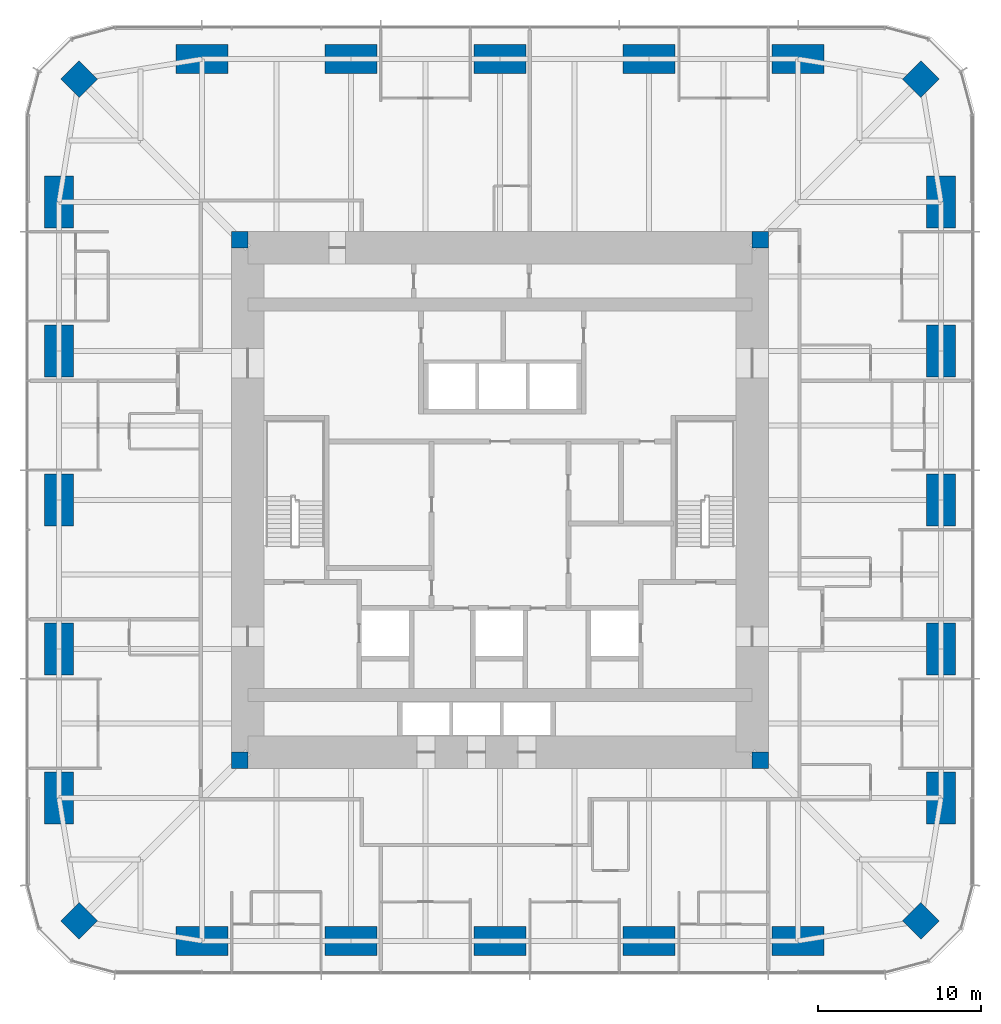
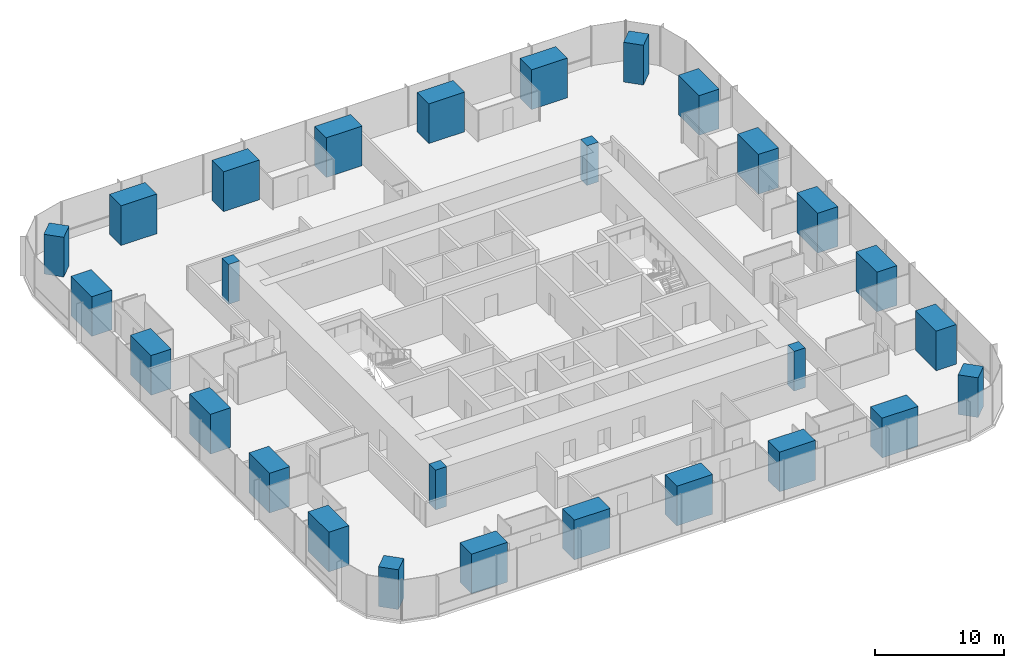
# One storey, part 1 of 13: 28 columns.
"""IFC4 building model written with IfcOpenShell, lengths in metres."""

from ifc_helpers import new_model, si_unit, direction, frame, origin, origin_2d, place, context, subcontext, project, spatial, rectangle, extrude, material, material_profile, profile_set, type_object, element, save


model = new_model("IFC4")

# Units and contexts
model_context = context("Model", 3, precision=1e-05, world=origin(), true_north=direction((0.0, 1.0)))
body_context = subcontext(model_context, "Body", "Model", "MODEL_VIEW")
ifc_project = project(units=[si_unit("LENGTHUNIT", "METRE"), si_unit("AREAUNIT", "SQUARE_METRE"), si_unit("VOLUMEUNIT", "CUBIC_METRE"), si_unit("PLANEANGLEUNIT", "RADIAN"), si_unit("MASSUNIT", "GRAM", prefix="KILO")], contexts=[model_context])

# Site, building, storey
site_placement = place(None, origin())
site = spatial("IfcSite", under=ifc_project, at=site_placement, CompositionType="ELEMENT")
building_placement = place(site_placement, origin())
building = spatial("IfcBuilding", under=site, at=building_placement, Name="Khuree Lantern Residences", CompositionType="ELEMENT")
storey_placement = place(building_placement, frame((0.0, 0.0, 122.25)))
storey = spatial("IfcBuildingStorey", under=building, at=storey_placement, Name="L30", CompositionType="ELEMENT", Elevation=122.25)

# Columns
ifc_material = material(Name="Concrete C70/85", Category="concrete")
ifc_material_profile_1 = material_profile(ifc_material, rectangle(XDim=1.60009765625, YDim=1.60009765625, at=origin_2d()), Name="RC 1600X1600")
ifc_profile_set_1 = profile_set([ifc_material_profile_1], Name="Concrete C70/85")
column_type_1 = type_object("IfcColumnType", Name="CC1600A PERIMETER CORNER COLUMN RC 1600X1600", PredefinedType="COLUMN", material=ifc_profile_set_1)
for number, where, z_axis, x_axis, name in (
    (1, (25.869873046875, 25.869873046875, 0.0), (0.0, 0.0, 1.0), (0.707106781187, -0.707106781187, 0.0), "Perimeter column NE"),
    (2, (25.869873046875, -25.869873046875, 0.0), (0.0, 0.0, 1.0), (0.707106781187, 0.707106781187, 0.0), "Perimeter column SE"),
    (3, (-25.869873046875, -25.869873046875, 0.0), (0.0, 0.0, 1.0), (0.707106781187, -0.707106781187, 0.0), "Perimeter column SW"),
    (4, (-25.869873046875, 25.869873046875, 0.0), (0.0, 0.0, 1.0), (0.707106781187, 0.707106781187, 0.0), "Perimeter column NW"),
):
    element("IfcColumn", number, at=place(storey_placement, frame(where, z_axis=z_axis, x_axis=x_axis)), inside=storey, type_object=column_type_1, Name=name, PredefinedType="COLUMN", context=body_context, shape_type="SweptSolid", body=[
        extrude(rectangle(XDim=1.60009765625, YDim=1.60009765625, at=origin_2d()), origin(), (0.0, 0.0, 1.0), 3.75),
    ])
ifc_material_profile_2 = material_profile(ifc_material, rectangle(XDim=1.0, YDim=1.0, at=origin_2d()), Name="RC 1000X1000")
ifc_profile_set_2 = profile_set([ifc_material_profile_2], Name="Concrete C70/85")
column_type_2 = type_object("IfcColumnType", Name="CP1000-C70 CORE CORNER PIER C70 RC 1000X1000", PredefinedType="COLUMN", material=ifc_profile_set_2)
for number, where, z_axis, x_axis, name in (
    (5, (16.0, 16.0, -0.25), (0.0, 0.0, 1.0), (1.0, 0.0, 0.0), "Core corner pier NE"),
    (6, (-16.0, 16.0, -0.25), (0.0, 0.0, 1.0), (1.0, 0.0, 0.0), "Core corner pier NW"),
    (7, (-16.0, -16.0, -0.25), (0.0, 0.0, 1.0), (1.0, 0.0, 0.0), "Core corner pier SW"),
    (8, (16.0, -16.0, -0.25), (0.0, 0.0, 1.0), (1.0, 0.0, 0.0), "Core corner pier SE"),
):
    element("IfcColumn", number, at=place(storey_placement, frame(where, z_axis=z_axis, x_axis=x_axis)), inside=storey, type_object=column_type_2, Name=name, PredefinedType="COLUMN", context=body_context, shape_type="SweptSolid", body=[
        extrude(rectangle(XDim=1.0, YDim=1.0, at=origin_2d()), origin(), (0.0, 0.0, 1.0), 3.75),
    ])
ifc_material_profile_3 = material_profile(ifc_material, rectangle(XDim=3.199951171875, YDim=1.800048828125, at=origin_2d()), Name="RC 3200X1800")
ifc_profile_set_3 = profile_set([ifc_material_profile_3], Name="Concrete C70/85")
column_type_3 = type_object("IfcColumnType", Name="PC1 PERIMETER COLUMN RC 3200X1800", PredefinedType="COLUMN", material=ifc_profile_set_3)
for number, where, z_axis, x_axis, name in (
    (9, (-18.320068359375, 27.10009765625, 0.0), (0.0, 0.0, 1.0), (1.0, 0.0, 0.0), "Perimeter column N1"),
    (10, (-9.159912109375, 27.10009765625, 0.0), (0.0, 0.0, 1.0), (1.0, 0.0, 0.0), "Perimeter column N2"),
    (11, (0.0, 27.10009765625, 0.0), (0.0, 0.0, 1.0), (1.0, 0.0, 0.0), "Perimeter column N3"),
    (12, (9.159912109375, 27.10009765625, 0.0), (0.0, 0.0, 1.0), (1.0, 0.0, 0.0), "Perimeter column N4"),
    (13, (18.320068359375, 27.10009765625, 0.0), (0.0, 0.0, 1.0), (1.0, 0.0, 0.0), "Perimeter column N5"),
    (14, (27.10009765625, 18.320068359375, 0.0), (0.0, 0.0, 1.0), (0.0, 1.0, 0.0), "Perimeter column E1"),
    (15, (27.10009765625, 9.159912109375, 0.0), (0.0, 0.0, 1.0), (0.0, 1.0, 0.0), "Perimeter column E2"),
    (16, (27.10009765625, 0.0, 0.0), (0.0, 0.0, 1.0), (0.0, 1.0, 0.0), "Perimeter column E3"),
    (17, (27.10009765625, -9.159912109375, 0.0), (0.0, 0.0, 1.0), (0.0, 1.0, 0.0), "Perimeter column E4"),
    (18, (27.10009765625, -18.320068359375, 0.0), (0.0, 0.0, 1.0), (0.0, 1.0, 0.0), "Perimeter column E5"),
    (19, (18.320068359375, -27.10009765625, 0.0), (0.0, 0.0, 1.0), (1.0, 0.0, 0.0), "Perimeter column S1"),
    (20, (9.159912109375, -27.10009765625, 0.0), (0.0, 0.0, 1.0), (1.0, 0.0, 0.0), "Perimeter column S2"),
    (21, (0.0, -27.10009765625, 0.0), (0.0, 0.0, 1.0), (1.0, 0.0, 0.0), "Perimeter column S3"),
    (22, (-9.159912109375, -27.10009765625, 0.0), (0.0, 0.0, 1.0), (1.0, 0.0, 0.0), "Perimeter column S4"),
    (23, (-18.320068359375, -27.10009765625, 0.0), (0.0, 0.0, 1.0), (1.0, 0.0, 0.0), "Perimeter column S5"),
    (24, (-27.10009765625, -18.320068359375, 0.0), (0.0, 0.0, 1.0), (0.0, 1.0, 0.0), "Perimeter column W1"),
    (25, (-27.10009765625, -9.159912109375, 0.0), (0.0, 0.0, 1.0), (0.0, 1.0, 0.0), "Perimeter column W2"),
    (26, (-27.10009765625, 0.0, 0.0), (0.0, 0.0, 1.0), (0.0, 1.0, 0.0), "Perimeter column W3"),
    (27, (-27.10009765625, 9.159912109375, 0.0), (0.0, 0.0, 1.0), (0.0, 1.0, 0.0), "Perimeter column W4"),
    (28, (-27.10009765625, 18.320068359375, 0.0), (0.0, 0.0, 1.0), (0.0, 1.0, 0.0), "Perimeter column W5"),
):
    element("IfcColumn", number, at=place(storey_placement, frame(where, z_axis=z_axis, x_axis=x_axis)), inside=storey, type_object=column_type_3, Name=name, PredefinedType="COLUMN", context=body_context, shape_type="SweptSolid", body=[
        extrude(rectangle(XDim=3.199951171875, YDim=1.800048828125, at=origin_2d()), origin(), (0.0, 0.0, 1.0), 3.75),
    ])

save(model, "model.ifc")
